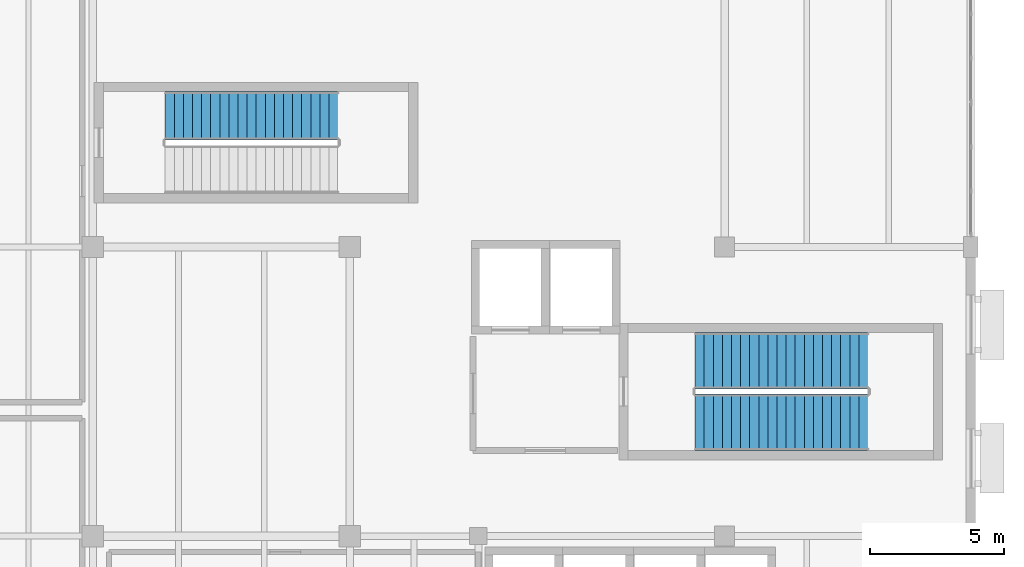
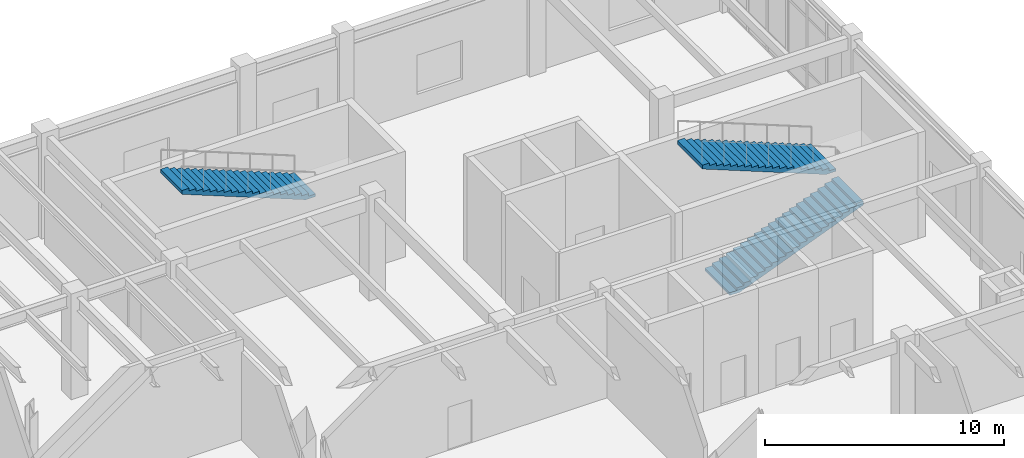
# One storey, part 57 of 72: 3 stair flights, 2 elements without a shape of their own.
"""IFC4 building model written with IfcOpenShell, lengths in metres."""

from ifc_helpers import new_model, si_unit, direction, frame, origin, place, context, subcontext, project, spatial, polyline, outline, extrude, material, type_object, element, aggregate, save


model = new_model("IFC4")

# Units and contexts
model_context = context("Model", 3, precision=1e-05, world=origin(), true_north=direction((0.0, 1.0)))
body_context = subcontext(model_context, "Body", "Model", "MODEL_VIEW")
ifc_project = project(units=[si_unit("LENGTHUNIT", "METRE"), si_unit("AREAUNIT", "SQUARE_METRE"), si_unit("VOLUMEUNIT", "CUBIC_METRE"), si_unit("PLANEANGLEUNIT", "RADIAN"), si_unit("MASSUNIT", "GRAM", prefix="KILO")], contexts=[model_context])

# Site, building, storey
site_placement = place(None, origin())
site = spatial("IfcSite", under=ifc_project, at=site_placement, CompositionType="ELEMENT")
building_placement = place(site_placement, origin())
building = spatial("IfcBuilding", under=site, at=building_placement, Name="Veldera Park Congress Hotel", CompositionType="ELEMENT")
storey_placement = place(building_placement, frame((0.0, 0.0, 5.39990234375)))
storey = spatial("IfcBuildingStorey", under=building, at=storey_placement, Name="L01", CompositionType="ELEMENT", Elevation=5.39990234375)

# Stair, stair flights
ifc_material = material(Name="Concrete f'c 40 MPa (5,800 psi)", Category="concrete")
stair_type_1 = type_object("IfcStairType", Name="ST1", PredefinedType="HALF_TURN_STAIR", material=ifc_material)
stair_1_placement = place(storey_placement, origin())
stair_1 = element("IfcStair", 1, at=stair_1_placement, inside=storey, type_object=stair_type_1, Name="L01 Protected Exit Stair ST1", PredefinedType="HALF_TURN_STAIR")
stair_flight_type_1 = type_object("IfcStairFlightType", Name="SFL-ST1", PredefinedType="STRAIGHT", material=ifc_material)
stair_flight_1_placement = place(storey_placement, frame((73.699951171875, 40.64990234375, 0.0), z_axis=(0.0, 0.0, 1.0), x_axis=(1.0, 0.0, 0.0)))
stair_flight_1 = element("IfcStairFlight", 2, at=stair_flight_1_placement, type_object=stair_flight_type_1, Name="ST1 flight 1", NumberOfRisers=20, NumberOfTreads=19, PredefinedType="STRAIGHT", RiserHeight=0.135, TreadLength=0.34, context=body_context, shape_type="SweptSolid", body=[
    extrude(outline(polyline([(0.0, 0.0), (0.0, 0.135009765625), (0.340087890625, 0.135009765625), (0.340087890625, 0.27001953125), (0.679931640625, 0.27001953125), (0.679931640625, 0.405029296875), (1.02001953125, 0.405029296875), (1.02001953125, 0.5400390625), (1.360107421875, 0.5400390625), (1.360107421875, 0.675048828125), (1.699951171875, 0.675048828125), (1.699951171875, 0.81005859375), (2.0400390625, 0.81005859375), (2.0400390625, 0.945068359375), (2.3798828125, 0.945068359375), (2.3798828125, 1.080078125), (2.719970703125, 1.080078125), (2.719970703125, 1.215087890625), (3.06005859375, 1.215087890625), (3.06005859375, 1.35009765625), (3.39990234375, 1.35009765625), (3.39990234375, 1.485107421875), (3.739990234375, 1.485107421875), (3.739990234375, 1.6201171875), (4.080078125, 1.6201171875), (4.080078125, 1.7548828125), (4.419921875, 1.7548828125), (4.419921875, 1.889892578125), (4.760009765625, 1.889892578125), (4.760009765625, 2.02490234375), (5.10009765625, 2.02490234375), (5.10009765625, 2.159912109375), (5.43994140625, 2.159912109375), (5.43994140625, 2.294921875), (5.780029296875, 2.294921875), (5.780029296875, 2.429931640625), (6.1201171875, 2.429931640625), (6.1201171875, 2.56494140625), (6.4599609375, 2.56494140625), (6.4599609375, 2.699951171875), (6.4599609375, 2.699951171875), (6.4599609375, 2.371337890625), (0.487548828125, 0.0), (0.0, 0.0)])), frame((0.0, 1.050048828125, 0.0), z_axis=(0.0, -1.0, 0.0), x_axis=(1.0, 0.0, 0.0)), (0.0, 0.0, 1.0), 2.10009765625),
])
stair_flight_2_placement = place(storey_placement, frame((80.159912109375, 42.949951171875, 2.7001953125), z_axis=(0.0, 0.0, 1.0), x_axis=(-1.0, 0.0, 0.0)))
stair_flight_2 = element("IfcStairFlight", 3, at=stair_flight_2_placement, type_object=stair_flight_type_1, Name="ST1 flight 2", NumberOfRisers=20, NumberOfTreads=19, PredefinedType="STRAIGHT", RiserHeight=0.135, TreadLength=0.34, context=body_context, shape_type="SweptSolid", body=[
    extrude(outline(polyline([(0.0, 0.0), (0.0, 0.135009765625), (0.340087890625, 0.135009765625), (0.340087890625, 0.27001953125), (0.679931640625, 0.27001953125), (0.679931640625, 0.405029296875), (1.02001953125, 0.405029296875), (1.02001953125, 0.5400390625), (1.360107421875, 0.5400390625), (1.360107421875, 0.675048828125), (1.699951171875, 0.675048828125), (1.699951171875, 0.81005859375), (2.0400390625, 0.81005859375), (2.0400390625, 0.945068359375), (2.3798828125, 0.945068359375), (2.3798828125, 1.080078125), (2.719970703125, 1.080078125), (2.719970703125, 1.215087890625), (3.06005859375, 1.215087890625), (3.06005859375, 1.35009765625), (3.39990234375, 1.35009765625), (3.39990234375, 1.485107421875), (3.739990234375, 1.485107421875), (3.739990234375, 1.6201171875), (4.080078125, 1.6201171875), (4.080078125, 1.7548828125), (4.419921875, 1.7548828125), (4.419921875, 1.889892578125), (4.760009765625, 1.889892578125), (4.760009765625, 2.02490234375), (5.10009765625, 2.02490234375), (5.10009765625, 2.159912109375), (5.43994140625, 2.159912109375), (5.43994140625, 2.294921875), (5.780029296875, 2.294921875), (5.780029296875, 2.429931640625), (6.1201171875, 2.429931640625), (6.1201171875, 2.56494140625), (6.4599609375, 2.56494140625), (6.4599609375, 2.699951171875), (6.4599609375, 2.699951171875), (6.4599609375, 2.371337890625), (0.487548828125, 0.0), (0.0, 0.0)])), frame((0.0, 1.050048828125, 0.0), z_axis=(0.0, -1.0, 0.0), x_axis=(1.0, 0.0, 0.0)), (0.0, 0.0, 1.0), 2.10009765625),
])
aggregate(stair_1, [stair_flight_1, stair_flight_2])

# Stair, stair flight
stair_type_2 = type_object("IfcStairType", Name="ST3", PredefinedType="HALF_TURN_STAIR", material=ifc_material)
stair_2_placement = place(storey_placement, origin())
stair_2 = element("IfcStair", 4, at=stair_2_placement, inside=storey, type_object=stair_type_2, Name="L01 Protected Exit Stair ST3", PredefinedType="HALF_TURN_STAIR")
stair_flight_type_2 = type_object("IfcStairFlightType", Name="SFL-ST3", PredefinedType="STRAIGHT", material=ifc_material)
stair_flight_3_placement = place(storey_placement, frame((60.360107421875, 52.10009765625, 2.7001953125), z_axis=(0.0, 0.0, 1.0), x_axis=(-1.0, 0.0, 0.0)))
stair_flight_3 = element("IfcStairFlight", 5, at=stair_flight_3_placement, type_object=stair_flight_type_2, Name="ST3 flight 2", NumberOfRisers=20, NumberOfTreads=19, PredefinedType="STRAIGHT", RiserHeight=0.135, TreadLength=0.34, context=body_context, shape_type="SweptSolid", body=[
    extrude(outline(polyline([(0.0, 0.0), (0.0, 0.135009765625), (0.340087890625, 0.135009765625), (0.340087890625, 0.27001953125), (0.679931640625, 0.27001953125), (0.679931640625, 0.405029296875), (1.02001953125, 0.405029296875), (1.02001953125, 0.5400390625), (1.360107421875, 0.5400390625), (1.360107421875, 0.675048828125), (1.699951171875, 0.675048828125), (1.699951171875, 0.81005859375), (2.0400390625, 0.81005859375), (2.0400390625, 0.945068359375), (2.3798828125, 0.945068359375), (2.3798828125, 1.080078125), (2.719970703125, 1.080078125), (2.719970703125, 1.215087890625), (3.06005859375, 1.215087890625), (3.06005859375, 1.35009765625), (3.39990234375, 1.35009765625), (3.39990234375, 1.485107421875), (3.739990234375, 1.485107421875), (3.739990234375, 1.6201171875), (4.080078125, 1.6201171875), (4.080078125, 1.7548828125), (4.419921875, 1.7548828125), (4.419921875, 1.889892578125), (4.760009765625, 1.889892578125), (4.760009765625, 2.02490234375), (5.10009765625, 2.02490234375), (5.10009765625, 2.159912109375), (5.43994140625, 2.159912109375), (5.43994140625, 2.294921875), (5.780029296875, 2.294921875), (5.780029296875, 2.429931640625), (6.1201171875, 2.429931640625), (6.1201171875, 2.56494140625), (6.4599609375, 2.56494140625), (6.4599609375, 2.699951171875), (6.4599609375, 2.699951171875), (6.4599609375, 2.371337890625), (0.487548828125, 0.0), (0.0, 0.0)])), frame((0.0, 0.89990234375, 0.0), z_axis=(0.0, -1.0, 0.0), x_axis=(1.0, 0.0, 0.0)), (0.0, 0.0, 1.0), 1.800048828125),
])
aggregate(stair_2, [stair_flight_3])

save(model, "model.ifc")
